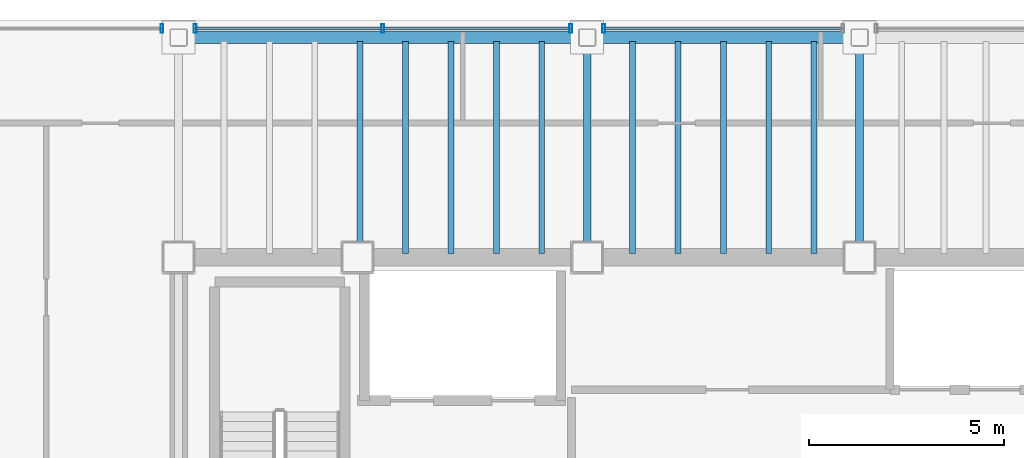
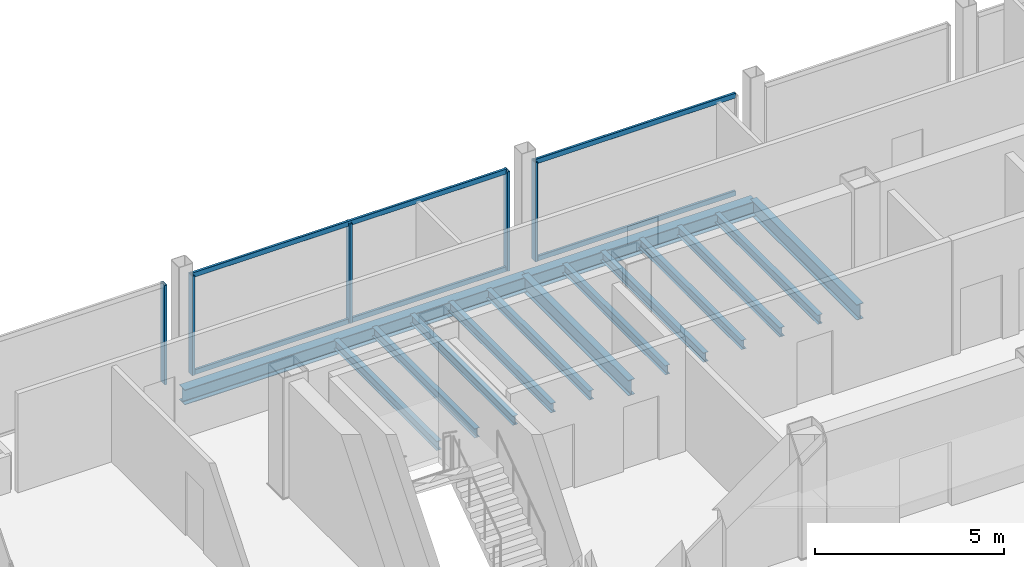
# One storey, part 9 of 17: 14 beams, 9 members, 3 elements without a shape of their own.
"""IFC4 building model written with IfcOpenShell, lengths in metres."""

from ifc_helpers import new_model, si_unit, direction, frame, origin, origin_2d, place, context, subcontext, project, spatial, hollow_rectangle, i_section, extrude, material, material_profile, profile_set, type_object, element, aggregate, save


model = new_model("IFC4")

# Units and contexts
model_context = context("Model", 3, precision=1e-05, world=origin(), true_north=direction((0.0, 1.0)))
body_context = subcontext(model_context, "Body", "Model", "MODEL_VIEW")
ifc_project = project(units=[si_unit("LENGTHUNIT", "METRE"), si_unit("AREAUNIT", "SQUARE_METRE"), si_unit("VOLUMEUNIT", "CUBIC_METRE"), si_unit("PLANEANGLEUNIT", "RADIAN"), si_unit("MASSUNIT", "GRAM", prefix="KILO")], contexts=[model_context])

# Site, building, storey
site_placement = place(None, origin())
site = spatial("IfcSite", under=ifc_project, at=site_placement, CompositionType="ELEMENT")
building_placement = place(site_placement, origin())
building = spatial("IfcBuilding", under=site, at=building_placement, Name="Noeulbin Bourse Tower", CompositionType="ELEMENT")
storey_placement = place(building_placement, frame((0.0, 0.0, 261.800048828125)))
storey = spatial("IfcBuildingStorey", under=building, at=storey_placement, Name="L65", CompositionType="ELEMENT", Elevation=261.800048828125)

# Beams
ifc_material_1 = material(Name="Steel S355", Category="steel")
ifc_material_profile_1 = material_profile(ifc_material_1, i_section(OverallWidth=0.199951171875, OverallDepth=0.5, WebThickness=0.010009765625, FlangeThickness=0.01611328125, FilletRadius=0.02001953125, at=origin_2d()), Name="H-500x200x10x16", Category="LoadBearing")
ifc_profile_set_1 = profile_set([ifc_material_profile_1], Name="Steel S355")
beam_type_1 = type_object("IfcBeamType", Name="BM-GRD-500", PredefinedType="USERDEFINED", material=ifc_profile_set_1)
for number, where, z_axis, x_axis, name in (
    (1, (24.0, 38.300048828125, -0.429931640625), (0.0, 1.0, 0.0), (-1.0, 0.0, 0.0), "Tower Primary Girder NS L65-2.4"),
    (2, (31.0, 38.300048828125, -0.429931640625), (0.0, 1.0, 0.0), (-1.0, 0.0, 0.0), "Tower Primary Girder NS L65-3.4"),
):
    element("IfcBeam", number, at=place(storey_placement, frame(where, z_axis=z_axis, x_axis=x_axis)), inside=storey, type_object=beam_type_1, Name=name, ObjectType="GIRDER", PredefinedType="USERDEFINED", context=body_context, shape_type="SweptSolid", body=[
        extrude(i_section(OverallWidth=0.199951171875, OverallDepth=0.5, WebThickness=0.010009765625, FlangeThickness=0.01611328125, FilletRadius=0.02001953125, at=origin_2d()), origin(), (0.0, 0.0, 1.0), 5.64990234375),
    ])
ifc_material_profile_2 = material_profile(ifc_material_1, i_section(OverallWidth=0.14990234375, OverallDepth=0.300048828125, WebThickness=0.006591796875, FlangeThickness=0.009033203125, FilletRadius=0.012939453125, at=origin_2d()), Name="H-300x150x6.5x9", Category="LoadBearing")
ifc_profile_set_2 = profile_set([ifc_material_profile_2], Name="Steel S355")
beam_type_2 = type_object("IfcBeamType", Name="BM-JST-300", PredefinedType="JOIST", material=ifc_profile_set_2)
for number, where, z_axis, x_axis, name in (
    (3, (18.166748046875, 38.39990234375, -0.330078125), (0.0, 1.0, 0.0), (-1.0, 0.0, 0.0), "Tower Composite Joist L65-08"),
    (4, (19.333251953125, 38.39990234375, -0.330078125), (0.0, 1.0, 0.0), (-1.0, 0.0, 0.0), "Tower Composite Joist L65-10"),
    (5, (20.5, 38.39990234375, -0.330078125), (0.0, 1.0, 0.0), (-1.0, 0.0, 0.0), "Tower Composite Joist L65-12"),
    (6, (21.666748046875, 38.39990234375, -0.330078125), (0.0, 1.0, 0.0), (-1.0, 0.0, 0.0), "Tower Composite Joist L65-14"),
    (7, (22.833251953125, 38.39990234375, -0.330078125), (0.0, 1.0, 0.0), (-1.0, 0.0, 0.0), "Tower Composite Joist L65-16"),
    (8, (25.166748046875, 38.39990234375, -0.330078125), (0.0, 1.0, 0.0), (-1.0, 0.0, 0.0), "Tower Composite Joist L65-18"),
    (9, (26.333251953125, 38.39990234375, -0.330078125), (0.0, 1.0, 0.0), (-1.0, 0.0, 0.0), "Tower Composite Joist L65-20"),
    (10, (27.5, 38.39990234375, -0.330078125), (0.0, 1.0, 0.0), (-1.0, 0.0, 0.0), "Tower Composite Joist L65-22"),
    (11, (28.666748046875, 38.39990234375, -0.330078125), (0.0, 1.0, 0.0), (-1.0, 0.0, 0.0), "Tower Composite Joist L65-24"),
    (12, (29.833251953125, 38.39990234375, -0.330078125), (0.0, 1.0, 0.0), (-1.0, 0.0, 0.0), "Tower Composite Joist L65-26"),
):
    element("IfcBeam", number, at=place(storey_placement, frame(where, z_axis=z_axis, x_axis=x_axis)), inside=storey, type_object=beam_type_2, Name=name, PredefinedType="JOIST", context=body_context, shape_type="SweptSolid", body=[
        extrude(i_section(OverallWidth=0.14990234375, OverallDepth=0.300048828125, WebThickness=0.006591796875, FlangeThickness=0.009033203125, FilletRadius=0.012939453125, at=origin_2d()), origin(), (0.0, 0.0, 1.0), 5.4501953125),
    ])
ifc_material_profile_3 = material_profile(ifc_material_1, i_section(OverallWidth=0.300048828125, OverallDepth=0.488037109375, WebThickness=0.010986328125, FlangeThickness=0.01806640625, FilletRadius=0.02197265625, at=origin_2d()), Name="H-488x300x11x18", Category="LoadBearing")
ifc_profile_set_3 = profile_set([ifc_material_profile_3], Name="Steel S355")
beam_type_3 = type_object("IfcBeamType", Name="BM-SPN-488", PredefinedType="SPANDREL", material=ifc_profile_set_3)
beam_1_placement = place(storey_placement, frame((13.5, 43.949951171875, -0.424072265625), z_axis=(1.0, 0.0, 0.0), x_axis=(0.0, 1.0, 0.0)))
element("IfcBeam", 13, at=beam_1_placement, inside=storey, type_object=beam_type_3, Name="North Spandrel L65-1", PredefinedType="SPANDREL", context=body_context, shape_type="SweptSolid", body=[
    extrude(i_section(OverallWidth=0.300048828125, OverallDepth=0.488037109375, WebThickness=0.010986328125, FlangeThickness=0.01806640625, FilletRadius=0.02197265625, at=origin_2d()), origin(), (0.0, 0.0, 1.0), 10.5),
])
beam_2_placement = place(storey_placement, frame((24.0, 43.949951171875, -0.424072265625), z_axis=(1.0, 0.0, 0.0), x_axis=(0.0, 1.0, 0.0)))
element("IfcBeam", 14, at=beam_2_placement, inside=storey, type_object=beam_type_3, Name="North Spandrel L65-2", PredefinedType="SPANDREL", context=body_context, shape_type="SweptSolid", body=[
    extrude(i_section(OverallWidth=0.300048828125, OverallDepth=0.488037109375, WebThickness=0.010986328125, FlangeThickness=0.01806640625, FilletRadius=0.02197265625, at=origin_2d()), origin(), (0.0, 0.0, 1.0), 7.0),
])

# Curtain wall, member
ifc_material_2 = material(Name="High-Selectivity Low-Iron Glazing", Category="glass")
curtain_wall_type = type_object("IfcCurtainWallType", Name="CW-SYS-4", PredefinedType="NOTDEFINED", material=ifc_material_2)
curtain_wall_1_placement = place(storey_placement, origin())
curtain_wall_1 = element("IfcCurtainWall", 15, at=curtain_wall_1_placement, inside=storey, type_object=curtain_wall_type, Name="Unitised Curtain Wall CW-L65-N-S1", PredefinedType="NOTDEFINED")
ifc_material_3 = material(Name="Anodised Aluminium 6063-T6", Category="aluminium")
ifc_material_profile_4 = material_profile(ifc_material_3, hollow_rectangle(XDim=0.074951171875, YDim=0.219970703125, WallThickness=0.0048828125, InnerFilletRadius=0.00244140625, OuterFilletRadius=0.0048828125, at=origin_2d()), Name="ALU-MULL-75x220x5", Category="LoadBearing")
ifc_profile_set_4 = profile_set([ifc_material_profile_4], Name="Anodised Aluminium 6063-T6")
member_type_1 = type_object("IfcMemberType", Name="CW-SYS-4-MUL", PredefinedType="MULLION", material=ifc_profile_set_4)
member_1_placement = place(storey_placement, frame((13.074951171875, 44.179931640625, -0.02001953125), z_axis=(0.0, 0.0, 1.0), x_axis=(1.0, 0.0, 0.0)))
member_1 = element("IfcMember", 16, at=member_1_placement, type_object=member_type_1, Name="Curtain Wall Mullion CW-L65-N-S1-M01", PredefinedType="MULLION", context=body_context, shape_type="SweptSolid", body=[
    extrude(hollow_rectangle(XDim=0.074951171875, YDim=0.219970703125, WallThickness=0.0048828125, InnerFilletRadius=0.00244140625, OuterFilletRadius=0.0048828125, at=origin_2d()), origin(), (0.0, 0.0, 1.0), 3.219970703125),
])
aggregate(curtain_wall_1, [member_1])

# Curtain wall, members
curtain_wall_2_placement = place(storey_placement, origin())
curtain_wall_2 = element("IfcCurtainWall", 17, at=curtain_wall_2_placement, inside=storey, type_object=curtain_wall_type, Name="Unitised Curtain Wall CW-L65-N-S2", PredefinedType="NOTDEFINED")
member_2_placement = place(storey_placement, frame((13.925048828125, 44.179931640625, -0.02001953125), z_axis=(0.0, 0.0, 1.0), x_axis=(1.0, 0.0, 0.0)))
member_2 = element("IfcMember", 18, at=member_2_placement, type_object=member_type_1, Name="Curtain Wall Mullion CW-L65-N-S2-M00", PredefinedType="MULLION", context=body_context, shape_type="SweptSolid", body=[
    extrude(hollow_rectangle(XDim=0.074951171875, YDim=0.219970703125, WallThickness=0.0048828125, InnerFilletRadius=0.00244140625, OuterFilletRadius=0.0048828125, at=origin_2d()), origin(), (0.0, 0.0, 1.0), 3.219970703125),
])
member_3_placement = place(storey_placement, frame((18.75, 44.179931640625, -0.02001953125), z_axis=(0.0, 0.0, 1.0), x_axis=(1.0, 0.0, 0.0)))
member_3 = element("IfcMember", 19, at=member_3_placement, type_object=member_type_1, Name="Curtain Wall Mullion CW-L65-N-S2-M01", PredefinedType="MULLION", context=body_context, shape_type="SweptSolid", body=[
    extrude(hollow_rectangle(XDim=0.074951171875, YDim=0.219970703125, WallThickness=0.0048828125, InnerFilletRadius=0.00244140625, OuterFilletRadius=0.0048828125, at=origin_2d()), origin(), (0.0, 0.0, 1.0), 3.219970703125),
])
member_4_placement = place(storey_placement, frame((23.574951171875, 44.179931640625, -0.02001953125), z_axis=(0.0, 0.0, 1.0), x_axis=(1.0, 0.0, 0.0)))
member_4 = element("IfcMember", 20, at=member_4_placement, type_object=member_type_1, Name="Curtain Wall Mullion CW-L65-N-S2-M02", PredefinedType="MULLION", context=body_context, shape_type="SweptSolid", body=[
    extrude(hollow_rectangle(XDim=0.074951171875, YDim=0.219970703125, WallThickness=0.0048828125, InnerFilletRadius=0.00244140625, OuterFilletRadius=0.0048828125, at=origin_2d()), origin(), (0.0, 0.0, 1.0), 3.219970703125),
])

# Curtain wall, member
curtain_wall_3_placement = place(storey_placement, origin())
curtain_wall_3 = element("IfcCurtainWall", 21, at=curtain_wall_3_placement, inside=storey, type_object=curtain_wall_type, Name="Unitised Curtain Wall CW-L65-N-S3", PredefinedType="NOTDEFINED")
member_5_placement = place(storey_placement, frame((24.425048828125, 44.179931640625, -0.02001953125), z_axis=(0.0, 0.0, 1.0), x_axis=(1.0, 0.0, 0.0)))
member_5 = element("IfcMember", 22, at=member_5_placement, type_object=member_type_1, Name="Curtain Wall Mullion CW-L65-N-S3-M00", PredefinedType="MULLION", context=body_context, shape_type="SweptSolid", body=[
    extrude(hollow_rectangle(XDim=0.074951171875, YDim=0.219970703125, WallThickness=0.0048828125, InnerFilletRadius=0.00244140625, OuterFilletRadius=0.0048828125, at=origin_2d()), origin(), (0.0, 0.0, 1.0), 3.219970703125),
])

# Member
ifc_material_profile_5 = material_profile(ifc_material_3, hollow_rectangle(XDim=0.074951171875, YDim=0.159912109375, WallThickness=0.0048828125, InnerFilletRadius=0.00244140625, OuterFilletRadius=0.0048828125, at=origin_2d()), Name="ALU-TRAN-75x160x5", Category="LoadBearing")
ifc_profile_set_5 = profile_set([ifc_material_profile_5], Name="Anodised Aluminium 6063-T6")
member_type_2 = type_object("IfcMemberType", Name="CW-SYS-4-TRN", PredefinedType="USERDEFINED", material=ifc_profile_set_5)
member_6_placement = place(storey_placement, frame((13.93505859375, 44.179931640625, 0.010009765625), z_axis=(1.0, 0.0, 0.0), x_axis=(0.0, 1.0, 0.0)))
member_6 = element("IfcMember", 23, at=member_6_placement, type_object=member_type_2, Name="Curtain Wall Transom CW-L65-N-S2-T00", ObjectType="TRANSOM", PredefinedType="USERDEFINED", context=body_context, shape_type="SweptSolid", body=[
    extrude(hollow_rectangle(XDim=0.074951171875, YDim=0.159912109375, WallThickness=0.0048828125, InnerFilletRadius=0.00244140625, OuterFilletRadius=0.0048828125, at=origin_2d()), origin(), (0.0, 0.0, 1.0), 9.6298828125),
])

member_7_placement = place(storey_placement, frame((13.93505859375, 44.179931640625, 3.169921875), z_axis=(1.0, 0.0, 0.0), x_axis=(0.0, 1.0, 0.0)))
member_7 = element("IfcMember", 24, at=member_7_placement, type_object=member_type_2, Name="Curtain Wall Transom CW-L65-N-S2-T01", ObjectType="TRANSOM", PredefinedType="USERDEFINED", context=body_context, shape_type="SweptSolid", body=[
    extrude(hollow_rectangle(XDim=0.074951171875, YDim=0.159912109375, WallThickness=0.0048828125, InnerFilletRadius=0.00244140625, OuterFilletRadius=0.0048828125, at=origin_2d()), origin(), (0.0, 0.0, 1.0), 9.6298828125),
])

aggregate(curtain_wall_2, [member_2, member_3, member_4, member_6, member_7])

member_8_placement = place(storey_placement, frame((24.43505859375, 44.179931640625, 0.010009765625), z_axis=(1.0, 0.0, 0.0), x_axis=(0.0, 1.0, 0.0)))
member_8 = element("IfcMember", 25, at=member_8_placement, type_object=member_type_2, Name="Curtain Wall Transom CW-L65-N-S3-T00", ObjectType="TRANSOM", PredefinedType="USERDEFINED", context=body_context, shape_type="SweptSolid", body=[
    extrude(hollow_rectangle(XDim=0.074951171875, YDim=0.159912109375, WallThickness=0.0048828125, InnerFilletRadius=0.00244140625, OuterFilletRadius=0.0048828125, at=origin_2d()), origin(), (0.0, 0.0, 1.0), 6.1298828125),
])

member_9_placement = place(storey_placement, frame((24.43505859375, 44.179931640625, 3.169921875), z_axis=(1.0, 0.0, 0.0), x_axis=(0.0, 1.0, 0.0)))
member_9 = element("IfcMember", 26, at=member_9_placement, type_object=member_type_2, Name="Curtain Wall Transom CW-L65-N-S3-T01", ObjectType="TRANSOM", PredefinedType="USERDEFINED", context=body_context, shape_type="SweptSolid", body=[
    extrude(hollow_rectangle(XDim=0.074951171875, YDim=0.159912109375, WallThickness=0.0048828125, InnerFilletRadius=0.00244140625, OuterFilletRadius=0.0048828125, at=origin_2d()), origin(), (0.0, 0.0, 1.0), 6.1298828125),
])

aggregate(curtain_wall_3, [member_5, member_8, member_9])

save(model, "model.ifc")
